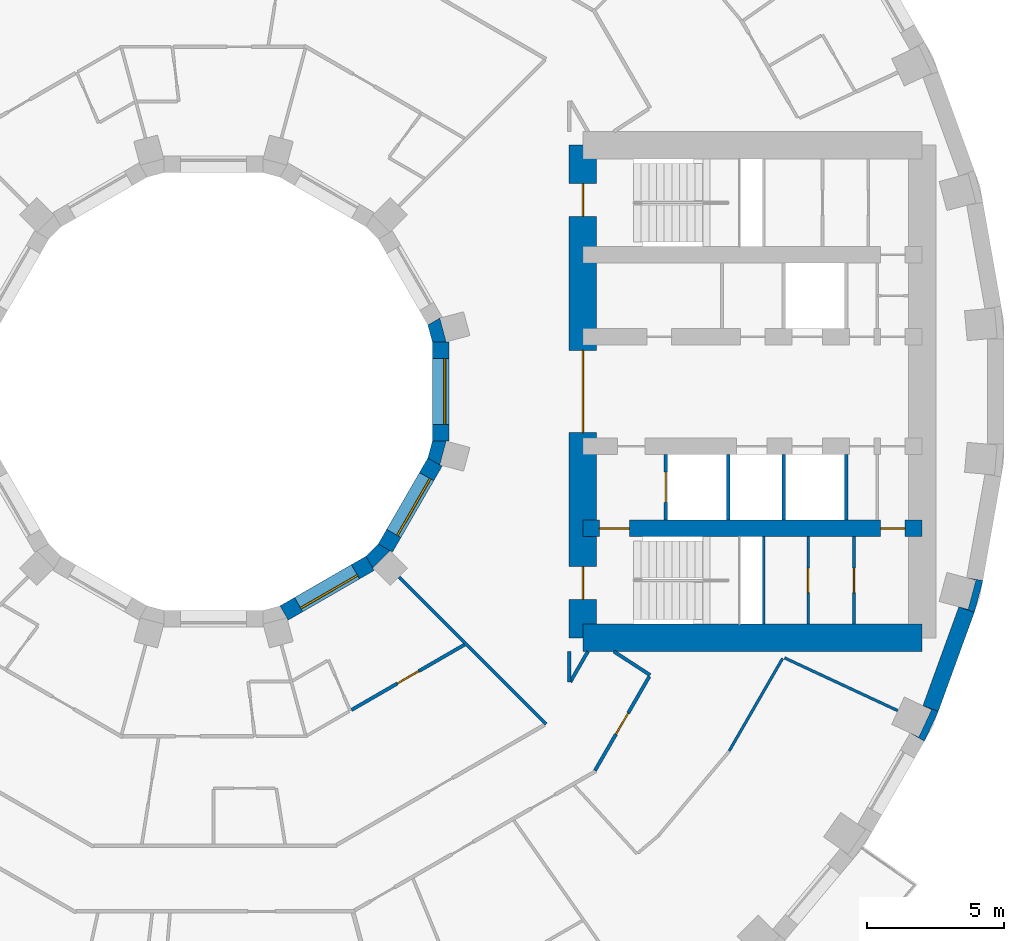
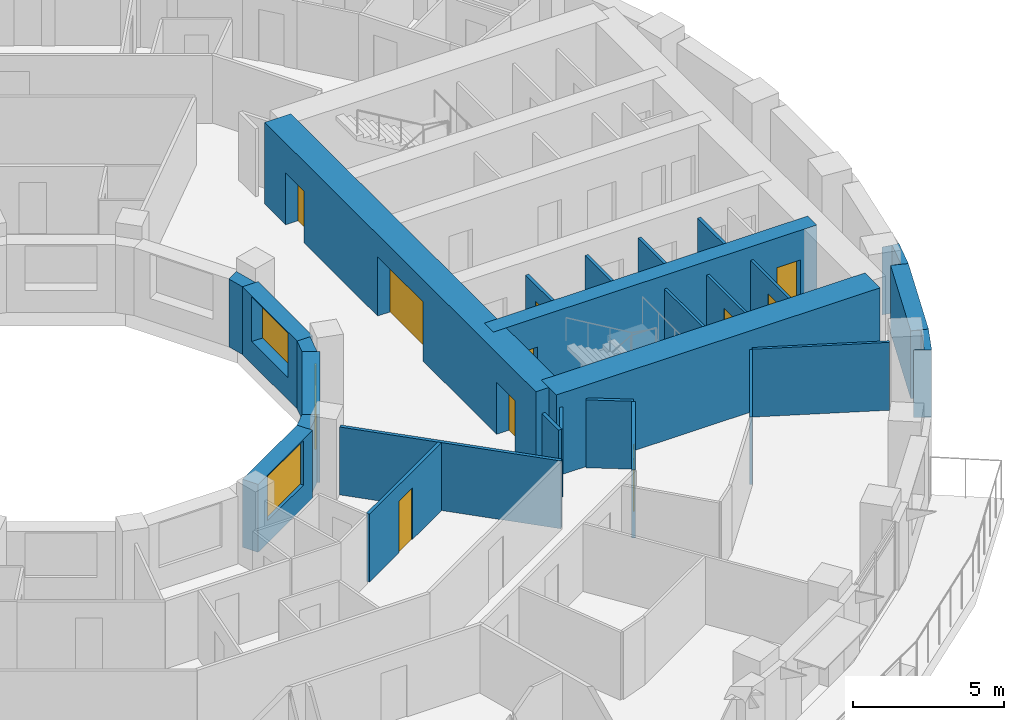
# One storey, part 9 of 16: 27 walls, 10 doors, 3 windows, 13 openings.
"""IFC4 building model written with IfcOpenShell, lengths in metres."""

from ifc_helpers import new_model, si_unit, direction, frame, frame_2d, origin, place, context, subcontext, project, spatial, polyline, rectangle, outline, extrude, material, layer, layer_set, type_object, element, fill, save


model = new_model("IFC4")

# Units and contexts
model_context = context("Model", 3, precision=1e-05, world=origin(), true_north=direction((0.0, 1.0)))
body_context = subcontext(model_context, "Body", "Model", "MODEL_VIEW")
ifc_project = project(units=[si_unit("LENGTHUNIT", "METRE"), si_unit("AREAUNIT", "SQUARE_METRE"), si_unit("VOLUMEUNIT", "CUBIC_METRE"), si_unit("PLANEANGLEUNIT", "RADIAN"), si_unit("MASSUNIT", "GRAM", prefix="KILO")], contexts=[model_context])

# Site, building, storey
site_placement = place(None, origin())
site = spatial("IfcSite", under=ifc_project, at=site_placement, CompositionType="ELEMENT")
building_placement = place(site_placement, origin())
building = spatial("IfcBuilding", under=site, at=building_placement, Name="Saqina Gate Tower", CompositionType="ELEMENT")
storey_placement = place(building_placement, frame((0.0, 0.0, 26.300048828125)))
storey = spatial("IfcBuildingStorey", under=building, at=storey_placement, Name="L06", CompositionType="ELEMENT", Elevation=26.300048828125)

# Walls
ifc_material_1 = material(Name="Brick masonry (red)", Category="masonry")
wall_type_1 = type_object("IfcWallType", Name="BRICK PIER COPING RED", PredefinedType="SOLIDWALL", material=ifc_material_1)
wall_1_placement = place(storey_placement, origin())
element("IfcWall", 1, at=wall_1_placement, inside=storey, type_object=wall_type_1, Name="Pier cap L06 column 34", PredefinedType="SOLIDWALL", context=body_context, shape_type="SweptSolid", body=[
    extrude(outline(polyline([(26.48974609375, -11.687744140625), (25.92578125, -11.482666015625), (26.243408203125, -11.630615234375), (25.778564453125, -12.627685546875), (25.4609375, -12.4794921875), (25.980712890625, -12.779541015625), (26.48974609375, -11.687744140625)])), origin(), (0.0, 0.0, 1.0), 2.75),
])
wall_2_placement = place(storey_placement, origin())
element("IfcWall", 2, at=wall_2_placement, inside=storey, type_object=wall_type_1, Name="Pier cap L06 column 35", PredefinedType="SOLIDWALL", context=body_context, shape_type="SweptSolid", body=[
    extrude(outline(polyline([(28.11669921875, -6.910400390625), (27.52587890625, -6.80615234375), (27.864501953125, -6.896728515625), (27.57958984375, -7.95947265625), (27.2412109375, -7.86865234375), (27.80517578125, -8.073974609375), (28.11669921875, -6.910400390625)])), origin(), (0.0, 0.0, 1.0), 2.75),
])

# Wall, opening, door
ifc_material_2 = material(Name="Gypsum board on steel studs", Category="steel")
ifc_layer_1 = layer(ifc_material_2, 0.10009765625)
ifc_layer_set_1 = layer_set([ifc_layer_1], Name="CORE PARTITION")
wall_type_2 = type_object("IfcWallType", Name="CORE PARTITION", PredefinedType="PARTITIONING", material=ifc_layer_set_1)
wall_3_placement = place(storey_placement, frame((21.73193359375, -8.5, 0.0), z_axis=(0.0, 0.0, 1.0), x_axis=(0.0, 1.0, 0.0)))
wall_3 = element("IfcWall", 3, at=wall_3_placement, inside=storey, type_object=wall_type_2, Name="L06-CP-E15", PredefinedType="PARTITIONING", context=body_context, shape_type="SweptSolid", body=[
    extrude(rectangle(XDim=3.199951171875, YDim=0.10009765625, at=frame_2d((1.60009765625, 0.0))), origin(), (0.0, 0.0, 1.0), 2.75),
])
opening_1_placement = place(wall_3_placement, frame((1.14990234375, 0.0, 0.0)))
opening_1 = element("IfcOpeningElement", 4, at=opening_1_placement, cuts=wall_3, Name="Opening G01-D102", PredefinedType="OPENING", context=body_context, shape_type="SweptSolid", body=[
    extrude(rectangle(XDim=0.89990234375, YDim=2.10009765625, at=frame_2d((0.449951171875, 1.050048828125))), frame((0.0, 0.06201171875, 0.0), z_axis=(0.0, -1.0, 0.0), x_axis=(1.0, 0.0, 0.0)), (0.0, 0.0, 1.0), 0.1240234375),
])
ifc_material_3 = material(Name="Steel-framed fire door leaf, EI 60", Category="steel")
door_type_1 = type_object("IfcDoorType", Name="SERVICE ROOM DOOR 900", OperationType="SINGLE_SWING_LEFT", PredefinedType="DOOR", material=ifc_material_3)
door_1_placement = place(opening_1_placement, frame((0.89990234375, 0.0, 0.0), z_axis=(0.0, 0.0, 1.0), x_axis=(-1.0, 0.0, 0.0)))
door_1 = element("IfcDoor", 5, at=door_1_placement, inside=storey, type_object=door_type_1, Name="L06-CD-E13", OperationType="SINGLE_SWING_RIGHT", OverallHeight=2.10009765625, OverallWidth=0.89990234375, PredefinedType="DOOR", context=body_context, shape_type="SweptSolid", body=[
    extrude(rectangle(XDim=0.89990234375, YDim=2.10009765625, at=frame_2d((0.449951171875, 1.050048828125))), frame((0.0, 0.02490234375, 0.0), z_axis=(0.0, -1.0, 0.0), x_axis=(1.0, 0.0, 0.0)), (0.0, 0.0, 1.0), 0.050048828125),
])
fill(opening_1, door_1)

wall_4_placement = place(storey_placement, frame((23.40869140625, -8.5, 0.0), z_axis=(0.0, 0.0, 1.0), x_axis=(0.0, 1.0, 0.0)))
wall_4 = element("IfcWall", 6, at=wall_4_placement, inside=storey, type_object=wall_type_2, Name="L06-CP-E16", PredefinedType="PARTITIONING", context=body_context, shape_type="SweptSolid", body=[
    extrude(rectangle(XDim=3.199951171875, YDim=0.10009765625, at=frame_2d((1.60009765625, 0.0))), origin(), (0.0, 0.0, 1.0), 2.75),
])
opening_2_placement = place(wall_4_placement, frame((1.14990234375, 0.0, 0.0)))
opening_2 = element("IfcOpeningElement", 7, at=opening_2_placement, cuts=wall_4, Name="Opening G01-D101", PredefinedType="OPENING", context=body_context, shape_type="SweptSolid", body=[
    extrude(rectangle(XDim=0.89990234375, YDim=2.10009765625, at=frame_2d((0.449951171875, 1.050048828125))), frame((0.0, 0.06201171875, 0.0), z_axis=(0.0, -1.0, 0.0), x_axis=(1.0, 0.0, 0.0)), (0.0, 0.0, 1.0), 0.1240234375),
])
door_2_placement = place(opening_2_placement, frame((0.89990234375, 0.0, 0.0), z_axis=(0.0, 0.0, 1.0), x_axis=(-1.0, 0.0, 0.0)))
door_2 = element("IfcDoor", 8, at=door_2_placement, inside=storey, type_object=door_type_1, Name="L06-CD-E12", OperationType="SINGLE_SWING_RIGHT", OverallHeight=2.10009765625, OverallWidth=0.89990234375, PredefinedType="DOOR", context=body_context, shape_type="SweptSolid", body=[
    extrude(rectangle(XDim=0.89990234375, YDim=2.10009765625, at=frame_2d((0.449951171875, 1.050048828125))), frame((0.0, 0.02490234375, 0.0), z_axis=(0.0, -1.0, 0.0), x_axis=(1.0, 0.0, 0.0)), (0.0, 0.0, 1.0), 0.050048828125),
])
fill(opening_2, door_2)

# Wall
ifc_material_4 = material(Name="Glazed ceramic tile (white)", Category="ceramic")
ifc_layer_2 = layer(ifc_material_4, 0.60009765625)
ifc_layer_set_2 = layer_set([ifc_layer_2], Name="FW-TILE-WH")
wall_type_3 = type_object("IfcWallType", Name="FW-TILE-WH", PredefinedType="SOLIDWALL", material=ifc_layer_set_2)
wall_5_placement = place(storey_placement, frame((26.207763671875, -11.585205078125, 0.0), z_axis=(0.0, 0.0, 1.0), x_axis=(0.342028474173, 0.939689588564, 0.0)))
element("IfcWall", 9, at=wall_5_placement, inside=storey, type_object=wall_type_3, Name="Facade wall L06 facet 34", PredefinedType="SOLIDWALL", context=body_context, shape_type="SweptSolid", body=[
    extrude(rectangle(XDim=3.845947265625, YDim=0.60009765625, at=frame_2d((1.9228515625, 0.0))), origin(), (0.0, 0.0, 1.0), 2.75),
])

# Wall, opening, window
ifc_material_5 = material(Name="Glazed ceramic tile", Category="ceramic")
ifc_layer_3 = layer(ifc_material_5, 0.60009765625)
ifc_layer_set_3 = layer_set([ifc_layer_3], Name="IW-TILE")
wall_type_4 = type_object("IfcWallType", Name="IW-TILE", PredefinedType="SOLIDWALL", material=ifc_layer_set_3)
wall_6_placement = place(storey_placement, frame((2.580322265625, -8.09423828125, 0.0), z_axis=(0.0, 0.0, 1.0), x_axis=(0.866029693906, 0.499992569217, 0.0)))
wall_6 = element("IfcWall", 10, at=wall_6_placement, inside=storey, type_object=wall_type_4, Name="Well wall L06 facet 10", PredefinedType="SOLIDWALL", context=body_context, shape_type="SweptSolid", body=[
    extrude(rectangle(XDim=3.625, YDim=0.60009765625, at=frame_2d((1.8125, 0.0))), origin(), (0.0, 0.0, 1.0), 2.75),
])
opening_3_placement = place(wall_6_placement, frame((0.612548828125, 0.0, 0.89990234375)))
opening_3 = element("IfcOpeningElement", 11, at=opening_3_placement, cuts=wall_6, Name="Opening G01-W32", PredefinedType="OPENING", context=body_context, shape_type="SweptSolid", body=[
    extrude(rectangle(XDim=2.39990234375, YDim=1.800048828125, at=frame_2d((1.199951171875, 0.89990234375))), frame((0.0, 0.31201171875, 0.0), z_axis=(0.0, -1.0, 0.0), x_axis=(1.0, 0.0, 0.0)), (0.0, 0.0, 1.0), 0.6240234375),
])
ifc_material_6 = material(Name="Aluminium glazing", Category="aluminium")
window_type = type_object("IfcWindowType", Name="WN-W", PartitioningType="SINGLE_PANEL", PredefinedType="WINDOW", material=ifc_material_6)
window_1_placement = place(opening_3_placement, origin())
window_1 = element("IfcWindow", 12, at=window_1_placement, inside=storey, type_object=window_type, Name="Well window L06 facet 10", OverallHeight=1.800048828125, OverallWidth=2.39990234375, PartitioningType="SINGLE_PANEL", PredefinedType="WINDOW", context=body_context, shape_type="SweptSolid", body=[
    extrude(rectangle(XDim=2.39990234375, YDim=1.800048828125, at=frame_2d((1.199951171875, 0.89990234375))), frame((0.0, -0.119873046875, 0.0), z_axis=(0.0, -1.0, 0.0), x_axis=(1.0, 0.0, 0.0)), (0.0, 0.0, 1.0), 0.06005859375),
])
fill(opening_3, window_1)

wall_7_placement = place(storey_placement, frame((6.28173828125, -5.7197265625, 0.0), z_axis=(0.0, 0.0, 1.0), x_axis=(0.499992569217, 0.866029693906, 0.0)))
wall_7 = element("IfcWall", 13, at=wall_7_placement, inside=storey, type_object=wall_type_4, Name="Well wall L06 facet 11", PredefinedType="SOLIDWALL", context=body_context, shape_type="SweptSolid", body=[
    extrude(rectangle(XDim=3.625, YDim=0.60009765625, at=frame_2d((1.8125, 0.0))), origin(), (0.0, 0.0, 1.0), 2.75),
])
opening_4_placement = place(wall_7_placement, frame((0.612548828125, 0.0, 0.89990234375)))
opening_4 = element("IfcOpeningElement", 14, at=opening_4_placement, cuts=wall_7, Name="Opening G01-W33", PredefinedType="OPENING", context=body_context, shape_type="SweptSolid", body=[
    extrude(rectangle(XDim=2.39990234375, YDim=1.800048828125, at=frame_2d((1.199951171875, 0.89990234375))), frame((0.0, 0.31201171875, 0.0), z_axis=(0.0, -1.0, 0.0), x_axis=(1.0, 0.0, 0.0)), (0.0, 0.0, 1.0), 0.6240234375),
])
window_2_placement = place(opening_4_placement, origin())
window_2 = element("IfcWindow", 15, at=window_2_placement, inside=storey, type_object=window_type, Name="Well window L06 facet 11", OverallHeight=1.800048828125, OverallWidth=2.39990234375, PartitioningType="SINGLE_PANEL", PredefinedType="WINDOW", context=body_context, shape_type="SweptSolid", body=[
    extrude(rectangle(XDim=2.39990234375, YDim=1.800048828125, at=frame_2d((1.199951171875, 0.89990234375))), frame((0.0, -0.119873046875, 0.0), z_axis=(0.0, -1.0, 0.0), x_axis=(1.0, 0.0, 0.0)), (0.0, 0.0, 1.0), 0.06005859375),
])
fill(opening_4, window_2)

wall_8_placement = place(storey_placement, frame((8.300048828125, -1.8125, 0.0), z_axis=(0.0, 0.0, 1.0), x_axis=(0.0, 1.0, 0.0)))
wall_8 = element("IfcWall", 16, at=wall_8_placement, inside=storey, type_object=wall_type_4, Name="Well wall L06 facet 12", PredefinedType="SOLIDWALL", context=body_context, shape_type="SweptSolid", body=[
    extrude(rectangle(XDim=3.625, YDim=0.60009765625, at=frame_2d((1.8125, 0.0))), origin(), (0.0, 0.0, 1.0), 2.75),
])
opening_5_placement = place(wall_8_placement, frame((0.612548828125, 0.0, 0.89990234375)))
opening_5 = element("IfcOpeningElement", 17, at=opening_5_placement, cuts=wall_8, Name="Opening G01-W34", PredefinedType="OPENING", context=body_context, shape_type="SweptSolid", body=[
    extrude(rectangle(XDim=2.39990234375, YDim=1.800048828125, at=frame_2d((1.199951171875, 0.89990234375))), frame((0.0, 0.31201171875, 0.0), z_axis=(0.0, -1.0, 0.0), x_axis=(1.0, 0.0, 0.0)), (0.0, 0.0, 1.0), 0.6240234375),
])
window_3_placement = place(opening_5_placement, origin())
window_3 = element("IfcWindow", 18, at=window_3_placement, inside=storey, type_object=window_type, Name="Well window L06 facet 12", OverallHeight=1.800048828125, OverallWidth=2.39990234375, PartitioningType="SINGLE_PANEL", PredefinedType="WINDOW", context=body_context, shape_type="SweptSolid", body=[
    extrude(rectangle(XDim=2.39990234375, YDim=1.800048828125, at=frame_2d((1.199951171875, 0.89990234375))), frame((0.0, -0.119873046875, 0.0), z_axis=(0.0, -1.0, 0.0), x_axis=(1.0, 0.0, 0.0)), (0.0, 0.0, 1.0), 0.06005859375),
])
fill(opening_5, window_3)

# Walls
ifc_material_7 = material(Name="Gypsum board on steel studs, 100 mm", Category="steel")
ifc_layer_4 = layer(ifc_material_7, 0.10009765625)
ifc_layer_set_4 = layer_set([ifc_layer_4], Name="PARTITION 100")
wall_type_5 = type_object("IfcWallType", Name="PARTITION 100", PredefinedType="PARTITIONING", material=ifc_layer_set_4)
wall_9_placement = place(storey_placement, frame((20.868408203125, -9.734130859375, 0.0), z_axis=(0.0, 0.0, 1.0), x_axis=(0.906374415398, -0.422475347342, 0.0)))
element("IfcWall", 19, at=wall_9_placement, inside=storey, type_object=wall_type_5, Name="PARTITION PW3-46", PredefinedType="PARTITIONING", context=body_context, shape_type="SweptSolid", body=[
    extrude(rectangle(XDim=4.56298828125, YDim=0.10009765625, at=frame_2d((2.281494140625, 0.0))), origin(), (0.0, 0.0, 1.0), 2.75),
])
wall_10_placement = place(storey_placement, frame((18.846923828125, -13.1357421875, 0.0), z_axis=(0.0, 0.0, 1.0), x_axis=(0.499985873194, 0.866033559746, 0.0)))
element("IfcWall", 20, at=wall_10_placement, inside=storey, type_object=wall_type_5, Name="PARTITION PW3-101", PredefinedType="PARTITIONING", context=body_context, shape_type="SweptSolid", body=[
    extrude(rectangle(XDim=3.904296875, YDim=0.10009765625, at=frame_2d((1.9521484375, 0.0))), origin(), (0.0, 0.0, 1.0), 2.75),
])
ifc_material_8 = material(Name="Gypsum board on steel studs, 125 mm, fire rated", Category="steel")
ifc_layer_5 = layer(ifc_material_8, 0.125)
ifc_layer_set_5 = layer_set([ifc_layer_5], Name="PARTITION EI 30 125")
wall_type_6 = type_object("IfcWallType", Name="PARTITION EI 30 125", PredefinedType="PARTITIONING", material=ifc_layer_set_5)
wall_11_placement = place(storey_placement, frame((6.78271484375, -6.78271484375, 0.0), z_axis=(0.0, 0.0, 1.0), x_axis=(0.707106781187, -0.707106781187, 0.0)))
element("IfcWall", 21, at=wall_11_placement, inside=storey, type_object=wall_type_6, Name="PARTITION PW1-09", PredefinedType="PARTITIONING", context=body_context, shape_type="SweptSolid", body=[
    extrude(rectangle(XDim=7.593505859375, YDim=0.125, at=frame_2d((3.796875, 0.0))), origin(), (0.0, 0.0, 1.0), 2.75),
])
wall_12_placement = place(storey_placement, frame((14.62890625, -9.5, 0.0), z_axis=(0.0, 0.0, 1.0), x_axis=(0.838795721465, -0.544446267002, 0.0)))
element("IfcWall", 22, at=wall_12_placement, inside=storey, type_object=wall_type_6, Name="PARTITION PW1-12", PredefinedType="PARTITIONING", context=body_context, shape_type="SweptSolid", body=[
    extrude(rectangle(XDim=1.583251953125, YDim=0.125, at=frame_2d((0.79150390625, 0.0))), origin(), (0.0, 0.0, 1.0), 2.75),
])

# Wall, opening, door
wall_13_placement = place(storey_placement, frame((5.039306640625, -11.639892578125, 0.0), z_axis=(0.0, 0.0, 1.0), x_axis=(0.866051761422, 0.499954344453, 0.0)))
wall_13 = element("IfcWall", 23, at=wall_13_placement, inside=storey, type_object=wall_type_6, Name="PARTITION PW1-39", PredefinedType="PARTITIONING", context=body_context, shape_type="SweptSolid", body=[
    extrude(rectangle(XDim=4.76953125, YDim=0.125, at=frame_2d((2.384765625, 0.0))), origin(), (0.0, 0.0, 1.0), 2.75),
])
opening_6_placement = place(wall_13_placement, frame((1.94091796875, 0.0, 0.0)))
opening_6 = element("IfcOpeningElement", 24, at=opening_6_placement, cuts=wall_13, Name="Opening G01-D65", PredefinedType="OPENING", context=body_context, shape_type="SweptSolid", body=[
    extrude(rectangle(XDim=0.89990234375, YDim=2.10009765625, at=frame_2d((0.449951171875, 1.050048828125))), frame((0.0, 0.074462890625, 0.0), z_axis=(0.0, -1.0, 0.0), x_axis=(1.0, 0.0, 0.0)), (0.0, 0.0, 1.0), 0.14892578125),
])
ifc_material_9 = material(Name="Fire door leaf EI 30, 900 mm")
door_type_2 = type_object("IfcDoorType", Name="DOOR 900 EI 30", OperationType="SINGLE_SWING_LEFT", PredefinedType="DOOR", material=ifc_material_9)
door_3_placement = place(opening_6_placement, frame((0.89990234375, 0.0, 0.0), z_axis=(0.0, 0.0, 1.0), x_axis=(-1.0, 0.0, 0.0)))
door_3 = element("IfcDoor", 25, at=door_3_placement, inside=storey, type_object=door_type_2, Name="DOOR G01-D65", OperationType="SINGLE_SWING_LEFT", OverallHeight=2.10009765625, OverallWidth=0.89990234375, PredefinedType="DOOR", context=body_context, shape_type="SweptSolid", body=[
    extrude(rectangle(XDim=0.89990234375, YDim=2.10009765625, at=frame_2d((0.449951171875, 1.050048828125))), frame((0.0, 0.02490234375, 0.0), z_axis=(0.0, -1.0, 0.0), x_axis=(1.0, 0.0, 0.0)), (0.0, 0.0, 1.0), 0.050048828125),
])
fill(opening_6, door_3)

wall_14_placement = place(storey_placement, frame((13.940185546875, -13.85498046875, 0.0), z_axis=(0.0, 0.0, 1.0), x_axis=(0.500020477838, 0.866013580576, 0.0)))
wall_14 = element("IfcWall", 26, at=wall_14_placement, inside=storey, type_object=wall_type_6, Name="PARTITION PW1-49", PredefinedType="PARTITIONING", context=body_context, shape_type="SweptSolid", body=[
    extrude(rectangle(XDim=3.970947265625, YDim=0.125, at=frame_2d((1.9853515625, 0.0))), origin(), (0.0, 0.0, 1.0), 2.75),
])
opening_7_placement = place(wall_14_placement, frame((1.535400390625, 0.0, 0.0)))
opening_7 = element("IfcOpeningElement", 27, at=opening_7_placement, cuts=wall_14, Name="Opening G01-D67", PredefinedType="OPENING", context=body_context, shape_type="SweptSolid", body=[
    extrude(rectangle(XDim=0.89990234375, YDim=2.10009765625, at=frame_2d((0.449951171875, 1.050048828125))), frame((0.0, 0.074462890625, 0.0), z_axis=(0.0, -1.0, 0.0), x_axis=(1.0, 0.0, 0.0)), (0.0, 0.0, 1.0), 0.14892578125),
])
door_4_placement = place(opening_7_placement, frame((0.89990234375, 0.0, 0.0), z_axis=(0.0, 0.0, 1.0), x_axis=(-1.0, 0.0, 0.0)))
door_4 = element("IfcDoor", 28, at=door_4_placement, inside=storey, type_object=door_type_2, Name="DOOR G01-D67", OperationType="SINGLE_SWING_LEFT", OverallHeight=2.10009765625, OverallWidth=0.89990234375, PredefinedType="DOOR", context=body_context, shape_type="SweptSolid", body=[
    extrude(rectangle(XDim=0.89990234375, YDim=2.10009765625, at=frame_2d((0.449951171875, 1.050048828125))), frame((0.0, 0.02490234375, 0.0), z_axis=(0.0, -1.0, 0.0), x_axis=(1.0, 0.0, 0.0)), (0.0, 0.0, 1.0), 0.050048828125),
])
fill(opening_7, door_4)

# Walls
wall_15_placement = place(storey_placement, frame((13.0400390625, -10.61376953125, 0.0), z_axis=(0.0, 0.0, 1.0), x_axis=(0.500018234033, 0.866014876105, 0.0)))
element("IfcWall", 29, at=wall_15_placement, inside=storey, type_object=wall_type_6, Name="PARTITION PW1-50", PredefinedType="PARTITIONING", context=body_context, shape_type="SweptSolid", body=[
    extrude(rectangle(XDim=1.2861328125, YDim=0.125, at=frame_2d((0.64306640625, 0.0))), origin(), (0.0, 0.0, 1.0), 2.75),
])
wall_16_placement = place(storey_placement, frame((13.0, -10.62060546875, 0.0), z_axis=(0.0, 0.0, 1.0), x_axis=(0.0, 1.0, 0.0)))
element("IfcWall", 30, at=wall_16_placement, inside=storey, type_object=wall_type_6, Name="PARTITION PW1-53", PredefinedType="PARTITIONING", context=body_context, shape_type="SweptSolid", body=[
    extrude(rectangle(XDim=1.12060546875, YDim=0.125, at=frame_2d((0.560302734375, 0.0))), origin(), (0.0, 0.0, 1.0), 2.75),
])

# Wall, opening, door
ifc_material_10 = material(Name="Autoclaved aerated concrete block", Category="concrete")
ifc_layer_6 = layer(ifc_material_10, 0.1201171875)
ifc_layer_set_6 = layer_set([ifc_layer_6], Name="SHAFT PARTITION")
wall_type_7 = type_object("IfcWallType", Name="SHAFT PARTITION", PredefinedType="PARTITIONING", material=ifc_layer_set_6)
wall_17_placement = place(storey_placement, frame((16.530029296875, -4.699951171875, 0.0), z_axis=(0.0, 0.0, 1.0), x_axis=(0.0, 1.0, 0.0)))
wall_17 = element("IfcWall", 31, at=wall_17_placement, inside=storey, type_object=wall_type_7, Name="L06-CP-E05", PredefinedType="PARTITIONING", context=body_context, shape_type="SweptSolid", body=[
    extrude(rectangle(XDim=2.39990234375, YDim=0.1201171875, at=frame_2d((1.199951171875, 0.0))), origin(), (0.0, 0.0, 1.0), 2.75),
])
opening_8_placement = place(wall_17_placement, frame((0.64990234375, 0.0, 0.0)))
opening_8 = element("IfcOpeningElement", 32, at=opening_8_placement, cuts=wall_17, Name="Opening G01-LD2", PredefinedType="OPENING", context=body_context, shape_type="SweptSolid", body=[
    extrude(rectangle(XDim=1.10009765625, YDim=2.10009765625, at=frame_2d((0.550048828125, 1.050048828125))), frame((0.0, 0.072021484375, 0.0), z_axis=(0.0, -1.0, 0.0), x_axis=(1.0, 0.0, 0.0)), (0.0, 0.0, 1.0), 0.14404296875),
])
ifc_material_11 = material(Name="Stainless steel", Category="steel")
door_type_3 = type_object("IfcDoorType", Name="LANDING DOOR", OperationType="DOUBLE_DOOR_SLIDING", PredefinedType="DOOR", material=ifc_material_11)
door_5_placement = place(opening_8_placement, origin())
door_5 = element("IfcDoor", 33, at=door_5_placement, inside=storey, type_object=door_type_3, Name="LANDING DOOR FF1", OperationType="DOUBLE_DOOR_SLIDING", OverallHeight=2.10009765625, OverallWidth=1.10009765625, PredefinedType="DOOR", context=body_context, shape_type="SweptSolid", body=[
    extrude(rectangle(XDim=1.10009765625, YDim=2.10009765625, at=frame_2d((0.550048828125, 1.050048828125))), frame((0.0, 0.02490234375, 0.0), z_axis=(0.0, -1.0, 0.0), x_axis=(1.0, 0.0, 0.0)), (0.0, 0.0, 1.0), 0.050048828125),
])
fill(opening_8, door_5)

# Walls
for number, where, z_axis, x_axis, name in (
    (34, (18.81005859375, -4.699951171875, 0.0), (0.0, 0.0, 1.0), (0.0, 1.0, 0.0), "L06-CP-E06"),
    (35, (20.840087890625, -4.699951171875, 0.0), (0.0, 0.0, 1.0), (0.0, 1.0, 0.0), "L06-CP-E07"),
    (36, (23.1201171875, -4.699951171875, 0.0), (0.0, 0.0, 1.0), (0.0, 1.0, 0.0), "L06-CP-E08"),
):
    element("IfcWall", number, at=place(storey_placement, frame(where, z_axis=z_axis, x_axis=x_axis)), inside=storey, type_object=wall_type_7, Name=name, PredefinedType="PARTITIONING", context=body_context, shape_type="SweptSolid", body=[
        extrude(rectangle(XDim=2.39990234375, YDim=0.1201171875, at=frame_2d((1.199951171875, 0.0))), origin(), (0.0, 0.0, 1.0), 2.75),
    ])
ifc_material_12 = material(Name="Autoclaved aerated concrete block", Category="concrete")
ifc_layer_7 = layer(ifc_material_12, 0.10009765625)
ifc_layer_set_7 = layer_set([ifc_layer_7], Name="STAIR ENCLOSURE WALL")
wall_type_8 = type_object("IfcWallType", Name="STAIR ENCLOSURE WALL", PredefinedType="PARTITIONING", material=ifc_layer_set_7)
wall_18_placement = place(storey_placement, frame((20.110107421875, -8.5, 0.0), z_axis=(0.0, 0.0, 1.0), x_axis=(0.0, 1.0, 0.0)))
element("IfcWall", 37, at=wall_18_placement, inside=storey, type_object=wall_type_8, Name="L06-CP-E14", PredefinedType="PARTITIONING", context=body_context, shape_type="SweptSolid", body=[
    extrude(rectangle(XDim=3.199951171875, YDim=0.10009765625, at=frame_2d((1.60009765625, 0.0))), origin(), (0.0, 0.0, 1.0), 2.75),
])

# Wall, openings, doors
ifc_material_13 = material(Name="Concrete C70/85", Category="concrete")
ifc_layer_8 = layer(ifc_material_13, 0.60009765625)
ifc_layer_set_8 = layer_set([ifc_layer_8], Name="Concrete C70/85")
wall_type_9 = type_object("IfcWallType", Name="STR-CORE WALL-A-I", PredefinedType="SHEAR", material=ifc_layer_set_8)
wall_19_placement = place(storey_placement, frame((13.5, -5.0, 0.0), z_axis=(0.0, 0.0, 1.0), x_axis=(1.0, 0.0, 0.0)))
wall_19 = element("IfcWall", 38, at=wall_19_placement, inside=storey, type_object=wall_type_9, Name="CORE WALL L06 E-X2", PredefinedType="SHEAR", context=body_context, shape_type="SweptSolid", body=[
    extrude(rectangle(XDim=12.39990234375, YDim=0.60009765625, at=frame_2d((6.199951171875, 0.0))), origin(), (0.0, 0.0, 1.0), 3.300048828125),
])
opening_9_placement = place(wall_19_placement, frame((10.8798828125, 0.0, 0.0)))
opening_9 = element("IfcOpeningElement", 39, at=opening_9_placement, cuts=wall_19, Name="Opening G01-D103", PredefinedType="OPENING", context=body_context, shape_type="SweptSolid", body=[
    extrude(rectangle(XDim=0.89990234375, YDim=2.10009765625, at=frame_2d((0.449951171875, 1.050048828125))), frame((0.0, 0.31201171875, 0.0), z_axis=(0.0, -1.0, 0.0), x_axis=(1.0, 0.0, 0.0)), (0.0, 0.0, 1.0), 0.6240234375),
])
opening_10_placement = place(wall_19_placement, frame((0.60009765625, 0.0, 0.0)))
opening_10 = element("IfcOpeningElement", 40, at=opening_10_placement, cuts=wall_19, Name="Opening G01-D104", PredefinedType="OPENING", context=body_context, shape_type="SweptSolid", body=[
    extrude(rectangle(XDim=1.10009765625, YDim=2.10009765625, at=frame_2d((0.550048828125, 1.050048828125))), frame((0.0, 0.31201171875, 0.0), z_axis=(0.0, -1.0, 0.0), x_axis=(1.0, 0.0, 0.0)), (0.0, 0.0, 1.0), 0.6240234375),
])
ifc_material_14 = material(Name="Steel", Category="steel")
door_type_4 = type_object("IfcDoorType", Name="FIRE LOBBY DOOR EI 60 WIDE", OperationType="SINGLE_SWING_LEFT", PredefinedType="DOOR", material=ifc_material_14)
door_6_placement = place(opening_10_placement, frame((1.10009765625, 0.0, 0.0), z_axis=(0.0, 0.0, 1.0), x_axis=(-1.0, 0.0, 0.0)))
door_6 = element("IfcDoor", 41, at=door_6_placement, inside=storey, type_object=door_type_4, Name="L06-CD-E15", OperationType="SINGLE_SWING_RIGHT", OverallHeight=2.10009765625, OverallWidth=1.10009765625, PredefinedType="DOOR", context=body_context, shape_type="SweptSolid", body=[
    extrude(rectangle(XDim=1.10009765625, YDim=2.10009765625, at=frame_2d((0.550048828125, 1.050048828125))), frame((0.0, 0.02490234375, 0.0), z_axis=(0.0, -1.0, 0.0), x_axis=(1.0, 0.0, 0.0)), (0.0, 0.0, 1.0), 0.050048828125),
])
fill(opening_10, door_6)
door_7_placement = place(opening_9_placement, frame((0.89990234375, 0.0, 0.0), z_axis=(0.0, 0.0, 1.0), x_axis=(-1.0, 0.0, 0.0)))
door_7 = element("IfcDoor", 42, at=door_7_placement, inside=storey, type_object=door_type_1, Name="L06-CD-E14", OperationType="SINGLE_SWING_LEFT", OverallHeight=2.10009765625, OverallWidth=0.89990234375, PredefinedType="DOOR", context=body_context, shape_type="SweptSolid", body=[
    extrude(rectangle(XDim=0.89990234375, YDim=2.10009765625, at=frame_2d((0.449951171875, 1.050048828125))), frame((0.0, 0.02490234375, 0.0), z_axis=(0.0, -1.0, 0.0), x_axis=(1.0, 0.0, 0.0)), (0.0, 0.0, 1.0), 0.050048828125),
])
fill(opening_9, door_7)

ifc_material_15 = material(Name="Concrete C70/85", Category="concrete")
ifc_layer_9 = layer(ifc_material_15, 1.0)
ifc_layer_set_9 = layer_set([ifc_layer_9], Name="Concrete C70/85")
wall_type_10 = type_object("IfcWallType", Name="STR-CORE WALL-A-O", PredefinedType="SHEAR", material=ifc_layer_set_9)
wall_20_placement = place(storey_placement, frame((13.5, -9.0, 0.0), z_axis=(0.0, 0.0, 1.0), x_axis=(0.0, 1.0, 0.0)))
wall_20 = element("IfcWall", 43, at=wall_20_placement, inside=storey, type_object=wall_type_10, Name="CORE WALL L06 E-W1", PredefinedType="SHEAR", context=body_context, shape_type="SweptSolid", body=[
    extrude(rectangle(XDim=18.0, YDim=1.0, at=frame_2d((9.0, 0.0))), origin(), (0.0, 0.0, 1.0), 3.300048828125),
])
opening_11_placement = place(wall_20_placement, frame((15.39990234375, 0.0, 0.0)))
opening_11 = element("IfcOpeningElement", 44, at=opening_11_placement, cuts=wall_20, Name="Opening G01-D105", PredefinedType="OPENING", context=body_context, shape_type="SweptSolid", body=[
    extrude(rectangle(XDim=1.199951171875, YDim=2.10009765625, at=frame_2d((0.60009765625, 1.050048828125))), frame((0.0, 0.511962890625, 0.0), z_axis=(0.0, -1.0, 0.0), x_axis=(1.0, 0.0, 0.0)), (0.0, 0.0, 1.0), 1.02392578125),
])
opening_12_placement = place(wall_20_placement, frame((1.39990234375, 0.0, 0.0)))
opening_12 = element("IfcOpeningElement", 45, at=opening_12_placement, cuts=wall_20, Name="Opening G01-D106", PredefinedType="OPENING", context=body_context, shape_type="SweptSolid", body=[
    extrude(rectangle(XDim=1.199951171875, YDim=2.10009765625, at=frame_2d((0.60009765625, 1.050048828125))), frame((0.0, 0.511962890625, 0.0), z_axis=(0.0, -1.0, 0.0), x_axis=(1.0, 0.0, 0.0)), (0.0, 0.0, 1.0), 1.02392578125),
])
opening_13_placement = place(wall_20_placement, frame((7.5, 0.0, 0.0)))
opening_13 = element("IfcOpeningElement", 46, at=opening_13_placement, cuts=wall_20, Name="Opening G01-D107", PredefinedType="OPENING", context=body_context, shape_type="SweptSolid", body=[
    extrude(rectangle(XDim=3.0, YDim=2.39990234375, at=frame_2d((1.5, 1.199951171875))), frame((0.0, 0.511962890625, 0.0), z_axis=(0.0, -1.0, 0.0), x_axis=(1.0, 0.0, 0.0)), (0.0, 0.0, 1.0), 1.02392578125),
])
ifc_material_16 = material(Name="Steel", Category="steel")
door_type_5 = type_object("IfcDoorType", Name="FIRE DOOR EI 60", OperationType="SINGLE_SWING_LEFT", PredefinedType="DOOR", material=ifc_material_16)
door_8_placement = place(opening_11_placement, frame((1.199951171875, 0.0, 0.0), z_axis=(0.0, 0.0, 1.0), x_axis=(-1.0, 0.0, 0.0)))
door_8 = element("IfcDoor", 47, at=door_8_placement, inside=storey, type_object=door_type_5, Name="L06-CD-E16", OperationType="SINGLE_SWING_LEFT", OverallHeight=2.10009765625, OverallWidth=1.199951171875, PredefinedType="DOOR", context=body_context, shape_type="SweptSolid", body=[
    extrude(rectangle(XDim=1.199951171875, YDim=2.10009765625, at=frame_2d((0.60009765625, 1.050048828125))), frame((0.0, 0.02490234375, 0.0), z_axis=(0.0, -1.0, 0.0), x_axis=(1.0, 0.0, 0.0)), (0.0, 0.0, 1.0), 0.050048828125),
])
fill(opening_11, door_8)
door_9_placement = place(opening_12_placement, frame((1.199951171875, 0.0, 0.0), z_axis=(0.0, 0.0, 1.0), x_axis=(-1.0, 0.0, 0.0)))
door_9 = element("IfcDoor", 48, at=door_9_placement, inside=storey, type_object=door_type_5, Name="L06-CD-E17", OperationType="SINGLE_SWING_RIGHT", OverallHeight=2.10009765625, OverallWidth=1.199951171875, PredefinedType="DOOR", context=body_context, shape_type="SweptSolid", body=[
    extrude(rectangle(XDim=1.199951171875, YDim=2.10009765625, at=frame_2d((0.60009765625, 1.050048828125))), frame((0.0, 0.02490234375, 0.0), z_axis=(0.0, -1.0, 0.0), x_axis=(1.0, 0.0, 0.0)), (0.0, 0.0, 1.0), 0.050048828125),
])
fill(opening_12, door_9)
ifc_material_17 = material(Name="Steel and fire-resisting glass", Category="steel")
door_type_6 = type_object("IfcDoorType", Name="LOBBY SCREEN DOOR", OperationType="DOUBLE_DOOR_SLIDING", PredefinedType="DOOR", material=ifc_material_17)
door_10_placement = place(opening_13_placement, origin())
door_10 = element("IfcDoor", 49, at=door_10_placement, inside=storey, type_object=door_type_6, Name="L06-CD-E18", OperationType="DOUBLE_DOOR_SLIDING", OverallHeight=2.39990234375, OverallWidth=3.0, PredefinedType="DOOR", context=body_context, shape_type="SweptSolid", body=[
    extrude(rectangle(XDim=3.0, YDim=2.39990234375, at=frame_2d((1.5, 1.199951171875))), frame((0.0, 0.02490234375, 0.0), z_axis=(0.0, -1.0, 0.0), x_axis=(1.0, 0.0, 0.0)), (0.0, 0.0, 1.0), 0.050048828125),
])
fill(opening_13, door_10)

# Walls
wall_21_placement = place(storey_placement, frame((13.5, -9.0, 0.0), z_axis=(0.0, 0.0, 1.0), x_axis=(1.0, 0.0, 0.0)))
element("IfcWall", 50, at=wall_21_placement, inside=storey, type_object=wall_type_10, Name="CORE WALL L06 E-SE", PredefinedType="SHEAR", context=body_context, shape_type="SweptSolid", body=[
    extrude(rectangle(XDim=12.39990234375, YDim=1.0, at=frame_2d((6.199951171875, 0.0))), origin(), (0.0, 0.0, 1.0), 3.300048828125),
])
ifc_material_18 = material(Name="Glazed ceramic tile", Category="ceramic")
wall_type_11 = type_object("IfcWallType", Name="TILE PIER COPING", PredefinedType="SOLIDWALL", material=ifc_material_18)
wall_22_placement = place(storey_placement, origin())
element("IfcWall", 51, at=wall_22_placement, inside=storey, type_object=wall_type_11, Name="Well pier cap L06 column 1", PredefinedType="SOLIDWALL", context=body_context, shape_type="SweptSolid", body=[
    extrude(outline(polyline([(8.27001953125, 2.681884765625), (7.83447265625, 2.430419921875), (8.0, 1.8125), (8.502685546875, 1.8125), (8.27001953125, 2.681884765625)])), origin(), (0.0, 0.0, 1.0), 2.75),
])
wall_23_placement = place(storey_placement, origin())
element("IfcWall", 52, at=wall_23_placement, inside=storey, type_object=wall_type_11, Name="Well pier cap L06 column 11", PredefinedType="SOLIDWALL", context=body_context, shape_type="SweptSolid", body=[
    extrude(outline(polyline([(5.821044921875, -6.45751953125), (6.45751953125, -5.821044921875), (6.02197265625, -5.569580078125), (5.569580078125, -6.02197265625), (5.821044921875, -6.45751953125)])), origin(), (0.0, 0.0, 1.0), 2.75),
])
wall_24_placement = place(storey_placement, origin())
element("IfcWall", 53, at=wall_24_placement, inside=storey, type_object=wall_type_11, Name="Well pier cap L06 column 12", PredefinedType="SOLIDWALL", context=body_context, shape_type="SweptSolid", body=[
    extrude(outline(polyline([(8.502685546875, -1.8125), (8.0, -1.8125), (7.83447265625, -2.430419921875), (8.27001953125, -2.681884765625), (8.502685546875, -1.8125)])), origin(), (0.0, 0.0, 1.0), 2.75),
])

save(model, "model.ifc")
